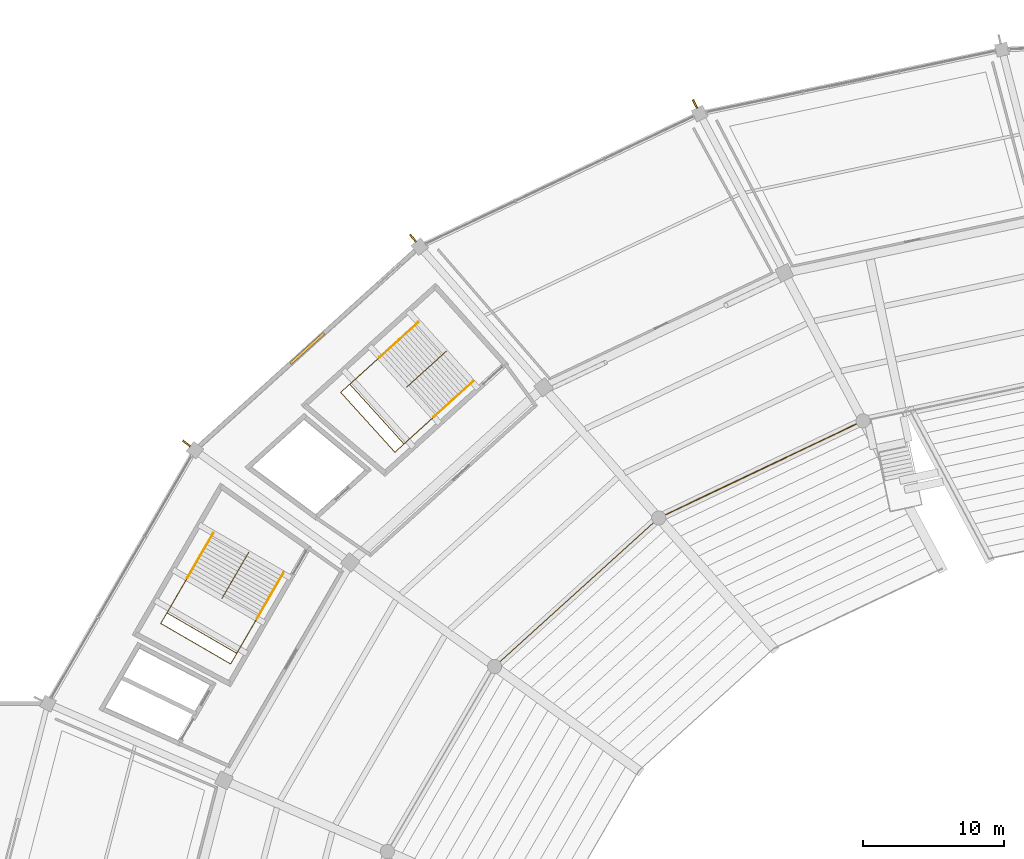
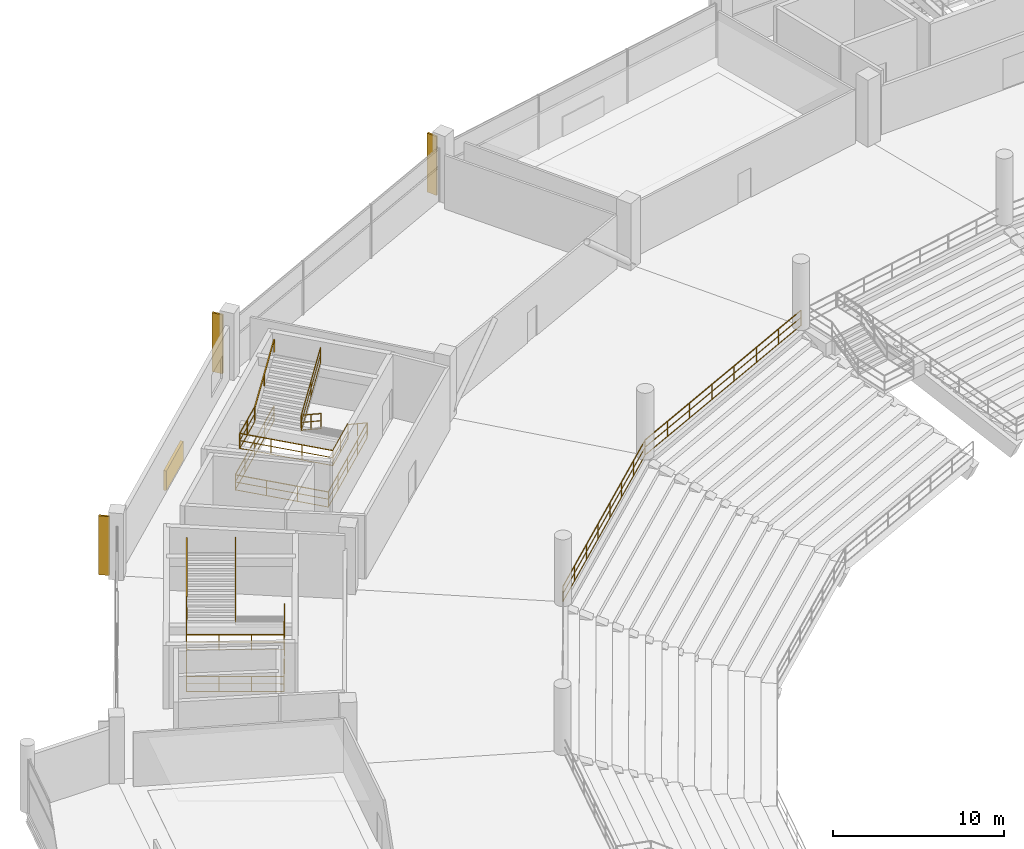
# One storey, part 152 of 156: 12 railings, 4 shading devices.
"""IFC4 building model written with IfcOpenShell, lengths in metres."""

from ifc_helpers import new_model, si_unit, direction, frame, origin, origin_2d, place, context, subcontext, project, spatial, rectangle, extrude, material, type_object, element, save


model = new_model("IFC4")

# Units and contexts
model_context = context("Model", 3, precision=1e-05, world=origin(), true_north=direction((0.0, 1.0)))
body_context = subcontext(model_context, "Body", "Model", "MODEL_VIEW")
ifc_project = project(units=[si_unit("LENGTHUNIT", "METRE"), si_unit("AREAUNIT", "SQUARE_METRE"), si_unit("VOLUMEUNIT", "CUBIC_METRE"), si_unit("PLANEANGLEUNIT", "RADIAN"), si_unit("MASSUNIT", "GRAM", prefix="KILO")], contexts=[model_context])

# Site, building, storey
site_placement = place(None, origin())
site = spatial("IfcSite", under=ifc_project, at=site_placement, CompositionType="ELEMENT")
building_placement = place(site_placement, origin())
building = spatial("IfcBuilding", under=site, at=building_placement, Name="Kazemori Nagisa Stadium", CompositionType="ELEMENT")
storey_placement = place(building_placement, frame((0.0, 0.0, 5.780029296875)))
storey = spatial("IfcBuildingStorey", under=building, at=storey_placement, Name="L01", CompositionType="ELEMENT", Elevation=5.780029296875)

# Shading devices
ifc_material_1 = material(Name="Aluminium 6063-T5 anodised", Category="aluminium")
shading_device_type_1 = type_object("IfcShadingDeviceType", Name="Fin_FN01", PredefinedType="USERDEFINED", material=ifc_material_1)
for number, where, z_axis, x_axis, name in (
    (1, (79.86767578125, 183.14453125, 0.0), (0.0, 0.0, 1.0), (-0.433883739113, 0.900968867905, 0.0), "Aerodynamic wave shading fin L01-10"),
    (2, (59.931396484375, 173.649169921875, 0.0), (0.0, 0.0, 1.0), (-0.623489801853, 0.781831482473, 0.0), "Aerodynamic wave shading fin L01-11"),
    (3, (43.914306640625, 159.138427734375, 0.0), (0.0, 0.0, 1.0), (-0.781831482473, 0.623489801853, 0.0), "Aerodynamic wave shading fin L01-12"),
):
    element("IfcShadingDevice", number, at=place(storey_placement, frame(where, z_axis=z_axis, x_axis=x_axis)), inside=storey, type_object=shading_device_type_1, Name=name, ObjectType="FIN", PredefinedType="USERDEFINED", context=body_context, shape_type="SweptSolid", body=[
        extrude(rectangle(XDim=0.64990234375, YDim=0.1201171875, at=origin_2d()), origin(), (0.0, 0.0, 1.0), 4.199951171875),
    ])
shading_device_type_2 = type_object("IfcShadingDeviceType", Name="Louvre_LV01", PredefinedType="JALOUSIE", material=ifc_material_1)
shading_device_placement = place(storey_placement, frame((52.453369140625, 165.86328125, -0.010009765625), z_axis=(0.0, 0.0, 1.0), x_axis=(-0.741350875443, -0.671117634607, 0.0)))
element("IfcShadingDevice", 4, at=shading_device_placement, inside=storey, type_object=shading_device_type_2, Name="Concourse ventilation louvre L01-B11", PredefinedType="JALOUSIE", context=body_context, shape_type="SweptSolid", body=[
    extrude(rectangle(XDim=3.199951171875, YDim=0.179931640625, at=origin_2d()), origin(), (0.0, 0.0, 1.0), 1.39990234375),
])

# Railings
ifc_material_2 = material(Name="Laminated safety glass and stainless steel SUS304", Category="steel")
railing_type_1 = type_object("IfcRailingType", Name="Rail_BAL", PredefinedType="BALUSTRADE", material=ifc_material_2)
railing_1_placement = place(storey_placement, frame((91.75244140625, 160.739013671875, 0.0)))
element("IfcRailing", 5, at=railing_1_placement, inside=storey, type_object=railing_type_1, Name="Concourse bowl balustrade L01-B10", PredefinedType="BALUSTRADE", context=body_context, shape_type="SweptSolid", body=[
    extrude(rectangle(XDim=0.050048828125, YDim=0.050048828125, at=origin_2d()), frame((0.0, 0.0, 1.09521484375), z_axis=(-0.903211989129, -0.429194714196, 0.0), x_axis=(0.429194714196, -0.903211989129, 0.0)), (0.0, 0.0, 1.0), 15.997314453125),
    extrude(rectangle(XDim=0.03759765625, YDim=0.03759765625, at=origin_2d()), frame((0.0, 0.0, 0.58251953125), z_axis=(-0.903211989129, -0.429194714196, 0.0), x_axis=(0.429194714196, -0.903211989129, 0.0)), (0.0, 0.0, 1.0), 15.997314453125),
    extrude(rectangle(XDim=0.03759765625, YDim=0.03759765625, at=origin_2d()), frame((0.0, 0.0, 0.02490234375), z_axis=(-0.903211989129, -0.429194714196, 0.0), x_axis=(0.429194714196, -0.903211989129, 0.0)), (0.0, 0.0, 1.0), 15.997314453125),
    extrude(rectangle(XDim=0.044921875, YDim=0.044921875, at=origin_2d()), origin(), (0.0, 0.0, 1.0), 1.070068359375),
    extrude(rectangle(XDim=0.044921875, YDim=0.044921875, at=origin_2d()), frame((-2.064208984375, -0.98095703125, 0.0)), (0.0, 0.0, 1.0), 1.070068359375),
    extrude(rectangle(XDim=0.044921875, YDim=0.044921875, at=origin_2d()), frame((-4.128173828125, -1.961669921875, 0.0)), (0.0, 0.0, 1.0), 1.070068359375),
    extrude(rectangle(XDim=0.044921875, YDim=0.044921875, at=origin_2d()), frame((-6.1923828125, -2.942626953125, 0.0)), (0.0, 0.0, 1.0), 1.070068359375),
    extrude(rectangle(XDim=0.044921875, YDim=0.044921875, at=origin_2d()), frame((-8.256591796875, -3.92333984375, 0.0)), (0.0, 0.0, 1.0), 1.070068359375),
    extrude(rectangle(XDim=0.044921875, YDim=0.044921875, at=origin_2d()), frame((-10.32080078125, -4.904296875, 0.0)), (0.0, 0.0, 1.0), 1.070068359375),
    extrude(rectangle(XDim=0.044921875, YDim=0.044921875, at=origin_2d()), frame((-12.384765625, -5.885009765625, 0.0)), (0.0, 0.0, 1.0), 1.070068359375),
    extrude(rectangle(XDim=0.044921875, YDim=0.044921875, at=origin_2d()), frame((-14.448974609375, -6.865966796875, 0.0)), (0.0, 0.0, 1.0), 1.070068359375),
])
railing_2_placement = place(storey_placement, frame((77.303466796875, 153.873046875, 0.0)))
element("IfcRailing", 6, at=railing_2_placement, inside=storey, type_object=railing_type_1, Name="Concourse bowl balustrade L01-B11", PredefinedType="BALUSTRADE", context=body_context, shape_type="SweptSolid", body=[
    extrude(rectangle(XDim=0.050048828125, YDim=0.050048828125, at=origin_2d()), frame((0.0, 0.0, 1.09521484375), z_axis=(-0.741349160152, -0.6711195294, 0.0), x_axis=(0.6711195294, -0.741349160152, 0.0)), (0.0, 0.0, 1.0), 15.65380859375),
    extrude(rectangle(XDim=0.03759765625, YDim=0.03759765625, at=origin_2d()), frame((0.0, 0.0, 0.58251953125), z_axis=(-0.741349160152, -0.6711195294, 0.0), x_axis=(0.6711195294, -0.741349160152, 0.0)), (0.0, 0.0, 1.0), 15.65380859375),
    extrude(rectangle(XDim=0.03759765625, YDim=0.03759765625, at=origin_2d()), frame((0.0, 0.0, 0.02490234375), z_axis=(-0.741349160152, -0.6711195294, 0.0), x_axis=(0.6711195294, -0.741349160152, 0.0)), (0.0, 0.0, 1.0), 15.65380859375),
    extrude(rectangle(XDim=0.044921875, YDim=0.044921875, at=origin_2d()), origin(), (0.0, 0.0, 1.0), 1.070068359375),
    extrude(rectangle(XDim=0.044921875, YDim=0.044921875, at=origin_2d()), frame((-1.657958984375, -1.500732421875, 0.0)), (0.0, 0.0, 1.0), 1.070068359375),
    extrude(rectangle(XDim=0.044921875, YDim=0.044921875, at=origin_2d()), frame((-3.315673828125, -3.001708984375, 0.0)), (0.0, 0.0, 1.0), 1.070068359375),
    extrude(rectangle(XDim=0.044921875, YDim=0.044921875, at=origin_2d()), frame((-4.9736328125, -4.50244140625, 0.0)), (0.0, 0.0, 1.0), 1.070068359375),
    extrude(rectangle(XDim=0.044921875, YDim=0.044921875, at=origin_2d()), frame((-6.63134765625, -6.003173828125, 0.0)), (0.0, 0.0, 1.0), 1.070068359375),
    extrude(rectangle(XDim=0.044921875, YDim=0.044921875, at=origin_2d()), frame((-8.289306640625, -7.50390625, 0.0)), (0.0, 0.0, 1.0), 1.070068359375),
    extrude(rectangle(XDim=0.044921875, YDim=0.044921875, at=origin_2d()), frame((-9.947021484375, -9.0048828125, 0.0)), (0.0, 0.0, 1.0), 1.070068359375),
    extrude(rectangle(XDim=0.044921875, YDim=0.044921875, at=origin_2d()), frame((-11.60498046875, -10.505615234375, 0.0)), (0.0, 0.0, 1.0), 1.070068359375),
])
ifc_material_3 = material(Name="Galvanised powder-coated steel", Category="steel")
railing_type_2 = type_object("IfcRailingType", Name="Rail_GUARD", PredefinedType="GUARDRAIL", material=ifc_material_3)
railing_3_placement = place(storey_placement, frame((64.12109375, 163.4794921875, 0.0)))
element("IfcRailing", 7, at=railing_3_placement, inside=storey, type_object=railing_type_2, Name="Stair well perimeter guard ST02-L01", PredefinedType="GUARDRAIL", context=body_context, shape_type="SweptSolid", body=[
    extrude(rectangle(XDim=0.050048828125, YDim=0.050048828125, at=origin_2d()), frame((0.0, 0.0, 1.09521484375), z_axis=(-0.741350009176, -0.671118591528, 0.0), x_axis=(0.671118591528, -0.741350009176, 0.0)), (0.0, 0.0, 1.0), 7.380126953125),
    extrude(rectangle(XDim=0.03759765625, YDim=0.03759765625, at=origin_2d()), frame((0.0, 0.0, 0.58251953125), z_axis=(-0.741350009176, -0.671118591528, 0.0), x_axis=(0.671118591528, -0.741350009176, 0.0)), (0.0, 0.0, 1.0), 7.380126953125),
    extrude(rectangle(XDim=0.03759765625, YDim=0.03759765625, at=origin_2d()), frame((0.0, 0.0, 0.02490234375), z_axis=(-0.741350009176, -0.671118591528, 0.0), x_axis=(0.671118591528, -0.741350009176, 0.0)), (0.0, 0.0, 1.0), 7.380126953125),
    extrude(rectangle(XDim=0.050048828125, YDim=0.050048828125, at=origin_2d()), frame((-5.47119140625, -4.952880859375, 1.09521484375), z_axis=(-0.671110696127, 0.741357156534, 0.0), x_axis=(-0.741357156534, -0.671110696127, 0.0)), (0.0, 0.0, 1.0), 5.69970703125),
    extrude(rectangle(XDim=0.03759765625, YDim=0.03759765625, at=origin_2d()), frame((-5.47119140625, -4.952880859375, 0.58251953125), z_axis=(-0.671110696127, 0.741357156534, 0.0), x_axis=(-0.741357156534, -0.671110696127, 0.0)), (0.0, 0.0, 1.0), 5.69970703125),
    extrude(rectangle(XDim=0.03759765625, YDim=0.03759765625, at=origin_2d()), frame((-5.47119140625, -4.952880859375, 0.02490234375), z_axis=(-0.671110696127, 0.741357156534, 0.0), x_axis=(-0.741357156534, -0.671110696127, 0.0)), (0.0, 0.0, 1.0), 5.69970703125),
    extrude(rectangle(XDim=0.050048828125, YDim=0.050048828125, at=origin_2d()), frame((-9.29638671875, -0.727294921875, 1.09521484375), z_axis=(0.741350009176, 0.671118591528, 0.0), x_axis=(-0.671118591528, 0.741350009176, 0.0)), (0.0, 0.0, 1.0), 7.380126953125),
    extrude(rectangle(XDim=0.03759765625, YDim=0.03759765625, at=origin_2d()), frame((-9.29638671875, -0.727294921875, 0.58251953125), z_axis=(0.741350009176, 0.671118591528, 0.0), x_axis=(-0.671118591528, 0.741350009176, 0.0)), (0.0, 0.0, 1.0), 7.380126953125),
    extrude(rectangle(XDim=0.03759765625, YDim=0.03759765625, at=origin_2d()), frame((-9.29638671875, -0.727294921875, 0.02490234375), z_axis=(0.741350009176, 0.671118591528, 0.0), x_axis=(-0.671118591528, 0.741350009176, 0.0)), (0.0, 0.0, 1.0), 7.380126953125),
    extrude(rectangle(XDim=0.044921875, YDim=0.044921875, at=origin_2d()), origin(), (0.0, 0.0, 1.0), 1.070068359375),
    extrude(rectangle(XDim=0.044921875, YDim=0.044921875, at=origin_2d()), frame((-1.36767578125, -1.23828125, 0.0)), (0.0, 0.0, 1.0), 1.070068359375),
    extrude(rectangle(XDim=0.044921875, YDim=0.044921875, at=origin_2d()), frame((-2.735595703125, -2.4765625, 0.0)), (0.0, 0.0, 1.0), 1.070068359375),
    extrude(rectangle(XDim=0.044921875, YDim=0.044921875, at=origin_2d()), frame((-4.103515625, -3.714599609375, 0.0)), (0.0, 0.0, 1.0), 1.070068359375),
    extrude(rectangle(XDim=0.044921875, YDim=0.044921875, at=origin_2d()), frame((-5.47119140625, -4.952880859375, 0.0)), (0.0, 0.0, 1.0), 1.070068359375),
    extrude(rectangle(XDim=0.044921875, YDim=0.044921875, at=origin_2d()), frame((-6.746337890625, -3.54443359375, 0.0)), (0.0, 0.0, 1.0), 1.070068359375),
    extrude(rectangle(XDim=0.044921875, YDim=0.044921875, at=origin_2d()), frame((-8.021240234375, -2.1357421875, 0.0)), (0.0, 0.0, 1.0), 1.070068359375),
    extrude(rectangle(XDim=0.044921875, YDim=0.044921875, at=origin_2d()), frame((-9.29638671875, -0.727294921875, 0.0)), (0.0, 0.0, 1.0), 1.070068359375),
    extrude(rectangle(XDim=0.044921875, YDim=0.044921875, at=origin_2d()), frame((-7.9287109375, 0.510986328125, 0.0)), (0.0, 0.0, 1.0), 1.070068359375),
    extrude(rectangle(XDim=0.044921875, YDim=0.044921875, at=origin_2d()), frame((-6.560791015625, 1.7490234375, 0.0)), (0.0, 0.0, 1.0), 1.070068359375),
    extrude(rectangle(XDim=0.044921875, YDim=0.044921875, at=origin_2d()), frame((-5.19287109375, 2.9873046875, 0.0)), (0.0, 0.0, 1.0), 1.070068359375),
    extrude(rectangle(XDim=0.044921875, YDim=0.044921875, at=origin_2d()), frame((-3.8251953125, 4.2255859375, 0.0)), (0.0, 0.0, 1.0), 1.070068359375),
])
railing_4_placement = place(storey_placement, frame((62.267822265625, 165.64599609375, 0.0)))
element("IfcRailing", 8, at=railing_4_placement, inside=storey, type_object=railing_type_2, Name="Stair central guard ST02-L01", PredefinedType="GUARDRAIL", context=body_context, shape_type="SweptSolid", body=[
    extrude(rectangle(XDim=0.050048828125, YDim=0.050048828125, at=origin_2d()), frame((0.0, 0.0, 1.09521484375), z_axis=(-0.626169043994, -0.566858171558, 0.535335541208), x_axis=(0.671124405314, -0.741344746114, 0.0)), (0.0, 0.0, 1.0), 4.445556640625),
    extrude(rectangle(XDim=0.03759765625, YDim=0.03759765625, at=origin_2d()), frame((0.0, 0.0, 0.58251953125), z_axis=(-0.626169043994, -0.566858171558, 0.535335541208), x_axis=(0.671124405314, -0.741344746114, 0.0)), (0.0, 0.0, 1.0), 4.445556640625),
    extrude(rectangle(XDim=0.03759765625, YDim=0.03759765625, at=origin_2d()), frame((0.0, 0.0, 0.02490234375), z_axis=(-0.626169043994, -0.566858171558, 0.535335541208), x_axis=(0.671124405314, -0.741344746114, 0.0)), (0.0, 0.0, 1.0), 4.445556640625),
    extrude(rectangle(XDim=0.050048828125, YDim=0.050048828125, at=origin_2d()), frame((-2.78369140625, -2.52001953125, 3.47509765625), z_axis=(0.622237228322, 0.5632978296, 0.543614189346), x_axis=(-0.671123784078, 0.741345308506, 0.0)), (0.0, 0.0, 1.0), 4.37841796875),
    extrude(rectangle(XDim=0.03759765625, YDim=0.03759765625, at=origin_2d()), frame((-2.78369140625, -2.52001953125, 2.96240234375), z_axis=(0.622237228322, 0.5632978296, 0.543614189346), x_axis=(-0.671123784078, 0.741345308506, 0.0)), (0.0, 0.0, 1.0), 4.37841796875),
    extrude(rectangle(XDim=0.03759765625, YDim=0.03759765625, at=origin_2d()), frame((-2.78369140625, -2.52001953125, 2.40478515625), z_axis=(0.622237228322, 0.5632978296, 0.543614189346), x_axis=(-0.671123784078, 0.741345308506, 0.0)), (0.0, 0.0, 1.0), 4.37841796875),
    extrude(rectangle(XDim=0.044921875, YDim=0.044921875, at=origin_2d()), origin(), (0.0, 0.0, 1.0), 1.070068359375),
    extrude(rectangle(XDim=0.044921875, YDim=0.044921875, at=origin_2d()), frame((-1.391845703125, -1.260009765625, 1.18994140625)), (0.0, 0.0, 1.0), 1.070068359375),
    extrude(rectangle(XDim=0.044921875, YDim=0.044921875, at=origin_2d()), frame((-2.78369140625, -2.52001953125, 2.3798828125)), (0.0, 0.0, 1.0), 1.070068359375),
    extrude(rectangle(XDim=0.044921875, YDim=0.044921875, at=origin_2d()), frame((-1.42138671875, -1.286865234375, 3.56982421875)), (0.0, 0.0, 1.0), 1.070068359375),
    extrude(rectangle(XDim=0.044921875, YDim=0.044921875, at=origin_2d()), frame((-0.059326171875, -0.0537109375, 4.760009765625)), (0.0, 0.0, 1.0), 1.070068359375),
])
railing_5_placement = place(storey_placement, frame((61.396728515625, 161.01318359375, 2.3798828125)))
element("IfcRailing", 9, at=railing_5_placement, inside=storey, type_object=railing_type_2, Name="Stair landing guard ST02-L01", PredefinedType="GUARDRAIL", context=body_context, shape_type="SweptSolid", body=[
    extrude(rectangle(XDim=0.050048828125, YDim=0.050048828125, at=origin_2d()), frame((0.0, 0.0, 1.09521484375), z_axis=(-0.741314535645, -0.671157775223, 0.0), x_axis=(0.671157775223, -0.741314535645, 0.0)), (0.0, 0.0, 1.0), 2.85009765625),
    extrude(rectangle(XDim=0.03759765625, YDim=0.03759765625, at=origin_2d()), frame((0.0, 0.0, 0.58251953125), z_axis=(-0.741314535645, -0.671157775223, 0.0), x_axis=(0.671157775223, -0.741314535645, 0.0)), (0.0, 0.0, 1.0), 2.85009765625),
    extrude(rectangle(XDim=0.03759765625, YDim=0.03759765625, at=origin_2d()), frame((0.0, 0.0, 0.02490234375), z_axis=(-0.741314535645, -0.671157775223, 0.0), x_axis=(0.671157775223, -0.741314535645, 0.0)), (0.0, 0.0, 1.0), 2.85009765625),
    extrude(rectangle(XDim=0.050048828125, YDim=0.050048828125, at=origin_2d()), frame((-2.11279296875, -1.912841796875, 1.09521484375), z_axis=(-0.671112926645, 0.74135513736, 0.0), x_axis=(-0.74135513736, -0.671112926645, 0.0)), (0.0, 0.0, 1.0), 5.7001953125),
    extrude(rectangle(XDim=0.03759765625, YDim=0.03759765625, at=origin_2d()), frame((-2.11279296875, -1.912841796875, 0.58251953125), z_axis=(-0.671112926645, 0.74135513736, 0.0), x_axis=(-0.74135513736, -0.671112926645, 0.0)), (0.0, 0.0, 1.0), 5.7001953125),
    extrude(rectangle(XDim=0.03759765625, YDim=0.03759765625, at=origin_2d()), frame((-2.11279296875, -1.912841796875, 0.02490234375), z_axis=(-0.671112926645, 0.74135513736, 0.0), x_axis=(-0.74135513736, -0.671112926645, 0.0)), (0.0, 0.0, 1.0), 5.7001953125),
    extrude(rectangle(XDim=0.050048828125, YDim=0.050048828125, at=origin_2d()), frame((-5.938232421875, 2.31298828125, 1.09521484375), z_axis=(0.741357156534, 0.671110696127, 0.0), x_axis=(-0.671110696127, 0.741357156534, 0.0)), (0.0, 0.0, 1.0), 2.849853515625),
    extrude(rectangle(XDim=0.03759765625, YDim=0.03759765625, at=origin_2d()), frame((-5.938232421875, 2.31298828125, 0.58251953125), z_axis=(0.741357156534, 0.671110696127, 0.0), x_axis=(-0.671110696127, 0.741357156534, 0.0)), (0.0, 0.0, 1.0), 2.849853515625),
    extrude(rectangle(XDim=0.03759765625, YDim=0.03759765625, at=origin_2d()), frame((-5.938232421875, 2.31298828125, 0.02490234375), z_axis=(0.741357156534, 0.671110696127, 0.0), x_axis=(-0.671110696127, 0.741357156534, 0.0)), (0.0, 0.0, 1.0), 2.849853515625),
    extrude(rectangle(XDim=0.044921875, YDim=0.044921875, at=origin_2d()), origin(), (0.0, 0.0, 1.0), 1.070068359375),
    extrude(rectangle(XDim=0.044921875, YDim=0.044921875, at=origin_2d()), frame((-1.056396484375, -0.95654296875, 0.0)), (0.0, 0.0, 1.0), 1.070068359375),
    extrude(rectangle(XDim=0.044921875, YDim=0.044921875, at=origin_2d()), frame((-2.11279296875, -1.912841796875, 0.0)), (0.0, 0.0, 1.0), 1.070068359375),
    extrude(rectangle(XDim=0.044921875, YDim=0.044921875, at=origin_2d()), frame((-3.387939453125, -0.504150390625, 0.0)), (0.0, 0.0, 1.0), 1.070068359375),
    extrude(rectangle(XDim=0.044921875, YDim=0.044921875, at=origin_2d()), frame((-4.6630859375, 0.904296875, 0.0)), (0.0, 0.0, 1.0), 1.070068359375),
    extrude(rectangle(XDim=0.044921875, YDim=0.044921875, at=origin_2d()), frame((-5.938232421875, 2.31298828125, 0.0)), (0.0, 0.0, 1.0), 1.070068359375),
    extrude(rectangle(XDim=0.044921875, YDim=0.044921875, at=origin_2d()), frame((-4.8818359375, 3.269287109375, 0.0)), (0.0, 0.0, 1.0), 1.070068359375),
    extrude(rectangle(XDim=0.044921875, YDim=0.044921875, at=origin_2d()), frame((-3.825439453125, 4.2255859375, 0.0)), (0.0, 0.0, 1.0), 1.070068359375),
])
railing_6_placement = place(storey_placement, frame((50.736083984375, 149.940673828125, 0.0)))
element("IfcRailing", 10, at=railing_6_placement, inside=storey, type_object=railing_type_2, Name="Stair well perimeter guard ST08-L01", PredefinedType="GUARDRAIL", context=body_context, shape_type="SweptSolid", body=[
    extrude(rectangle(XDim=0.050048828125, YDim=0.050048828125, at=origin_2d()), frame((0.0, 0.0, 1.09521484375), z_axis=(-0.501604713547, -0.865096937544, 0.0), x_axis=(0.865096937544, -0.501604713547, 0.0)), (0.0, 0.0, 1.0), 7.380126953125),
    extrude(rectangle(XDim=0.03759765625, YDim=0.03759765625, at=origin_2d()), frame((0.0, 0.0, 0.58251953125), z_axis=(-0.501604713547, -0.865096937544, 0.0), x_axis=(0.865096937544, -0.501604713547, 0.0)), (0.0, 0.0, 1.0), 7.380126953125),
    extrude(rectangle(XDim=0.03759765625, YDim=0.03759765625, at=origin_2d()), frame((0.0, 0.0, 0.02490234375), z_axis=(-0.501604713547, -0.865096937544, 0.0), x_axis=(0.865096937544, -0.501604713547, 0.0)), (0.0, 0.0, 1.0), 7.380126953125),
    extrude(rectangle(XDim=0.050048828125, YDim=0.050048828125, at=origin_2d()), frame((-3.701904296875, -6.384521484375, 1.09521484375), z_axis=(-0.865091784601, 0.501613600508, 0.0), x_axis=(-0.501613600508, -0.865091784601, 0.0)), (0.0, 0.0, 1.0), 5.699951171875),
    extrude(rectangle(XDim=0.03759765625, YDim=0.03759765625, at=origin_2d()), frame((-3.701904296875, -6.384521484375, 0.58251953125), z_axis=(-0.865091784601, 0.501613600508, 0.0), x_axis=(-0.501613600508, -0.865091784601, 0.0)), (0.0, 0.0, 1.0), 5.699951171875),
    extrude(rectangle(XDim=0.03759765625, YDim=0.03759765625, at=origin_2d()), frame((-3.701904296875, -6.384521484375, 0.02490234375), z_axis=(-0.865091784601, 0.501613600508, 0.0), x_axis=(-0.501613600508, -0.865091784601, 0.0)), (0.0, 0.0, 1.0), 5.699951171875),
    extrude(rectangle(XDim=0.050048828125, YDim=0.050048828125, at=origin_2d()), frame((-8.6328125, -3.525390625, 1.09521484375), z_axis=(0.501604713547, 0.865096937544, 0.0), x_axis=(-0.865096937544, 0.501604713547, 0.0)), (0.0, 0.0, 1.0), 7.380126953125),
    extrude(rectangle(XDim=0.03759765625, YDim=0.03759765625, at=origin_2d()), frame((-8.6328125, -3.525390625, 0.58251953125), z_axis=(0.501604713547, 0.865096937544, 0.0), x_axis=(-0.865096937544, 0.501604713547, 0.0)), (0.0, 0.0, 1.0), 7.380126953125),
    extrude(rectangle(XDim=0.03759765625, YDim=0.03759765625, at=origin_2d()), frame((-8.6328125, -3.525390625, 0.02490234375), z_axis=(0.501604713547, 0.865096937544, 0.0), x_axis=(-0.865096937544, 0.501604713547, 0.0)), (0.0, 0.0, 1.0), 7.380126953125),
    extrude(rectangle(XDim=0.044921875, YDim=0.044921875, at=origin_2d()), origin(), (0.0, 0.0, 1.0), 1.070068359375),
    extrude(rectangle(XDim=0.044921875, YDim=0.044921875, at=origin_2d()), frame((-0.925537109375, -1.59619140625, 0.0)), (0.0, 0.0, 1.0), 1.070068359375),
    extrude(rectangle(XDim=0.044921875, YDim=0.044921875, at=origin_2d()), frame((-1.85107421875, -3.1923828125, 0.0)), (0.0, 0.0, 1.0), 1.070068359375),
    extrude(rectangle(XDim=0.044921875, YDim=0.044921875, at=origin_2d()), frame((-2.7763671875, -4.788330078125, 0.0)), (0.0, 0.0, 1.0), 1.070068359375),
    extrude(rectangle(XDim=0.044921875, YDim=0.044921875, at=origin_2d()), frame((-3.701904296875, -6.384521484375, 0.0)), (0.0, 0.0, 1.0), 1.070068359375),
    extrude(rectangle(XDim=0.044921875, YDim=0.044921875, at=origin_2d()), frame((-5.345458984375, -5.431396484375, 0.0)), (0.0, 0.0, 1.0), 1.070068359375),
    extrude(rectangle(XDim=0.044921875, YDim=0.044921875, at=origin_2d()), frame((-6.9892578125, -4.478515625, 0.0)), (0.0, 0.0, 1.0), 1.070068359375),
    extrude(rectangle(XDim=0.044921875, YDim=0.044921875, at=origin_2d()), frame((-8.6328125, -3.525390625, 0.0)), (0.0, 0.0, 1.0), 1.070068359375),
    extrude(rectangle(XDim=0.044921875, YDim=0.044921875, at=origin_2d()), frame((-7.707275390625, -1.92919921875, 0.0)), (0.0, 0.0, 1.0), 1.070068359375),
    extrude(rectangle(XDim=0.044921875, YDim=0.044921875, at=origin_2d()), frame((-6.78173828125, -0.3330078125, 0.0)), (0.0, 0.0, 1.0), 1.070068359375),
    extrude(rectangle(XDim=0.044921875, YDim=0.044921875, at=origin_2d()), frame((-5.8564453125, 1.262939453125, 0.0)), (0.0, 0.0, 1.0), 1.070068359375),
    extrude(rectangle(XDim=0.044921875, YDim=0.044921875, at=origin_2d()), frame((-4.930908203125, 2.859130859375, 0.0)), (0.0, 0.0, 1.0), 1.070068359375),
])
railing_7_placement = place(storey_placement, frame((48.310791015625, 151.439453125, 0.0)))
element("IfcRailing", 11, at=railing_7_placement, inside=storey, type_object=railing_type_2, Name="Stair central guard ST08-L01", PredefinedType="GUARDRAIL", context=body_context, shape_type="SweptSolid", body=[
    extrude(rectangle(XDim=0.050048828125, YDim=0.050048828125, at=origin_2d()), frame((0.0, 0.0, 1.09521484375), z_axis=(-0.423674533128, -0.730708144887, 0.535318126887), x_axis=(0.865101159018, -0.501597432874, 0.0)), (0.0, 0.0, 1.0), 4.44580078125),
    extrude(rectangle(XDim=0.03759765625, YDim=0.03759765625, at=origin_2d()), frame((0.0, 0.0, 0.58251953125), z_axis=(-0.423674533128, -0.730708144887, 0.535318126887), x_axis=(0.865101159018, -0.501597432874, 0.0)), (0.0, 0.0, 1.0), 4.44580078125),
    extrude(rectangle(XDim=0.03759765625, YDim=0.03759765625, at=origin_2d()), frame((0.0, 0.0, 0.02490234375), z_axis=(-0.423674533128, -0.730708144887, 0.535318126887), x_axis=(0.865101159018, -0.501597432874, 0.0)), (0.0, 0.0, 1.0), 4.44580078125),
    extrude(rectangle(XDim=0.050048828125, YDim=0.050048828125, at=origin_2d()), frame((-1.883544921875, -3.24853515625, 3.47509765625), z_axis=(0.420994854964, 0.726118543223, 0.543613091529), x_axis=(-0.865110756676, 0.501580879504, 0.0)), (0.0, 0.0, 1.0), 4.37841796875),
    extrude(rectangle(XDim=0.03759765625, YDim=0.03759765625, at=origin_2d()), frame((-1.883544921875, -3.24853515625, 2.96240234375), z_axis=(0.420994854964, 0.726118543223, 0.543613091529), x_axis=(-0.865110756676, 0.501580879504, 0.0)), (0.0, 0.0, 1.0), 4.37841796875),
    extrude(rectangle(XDim=0.03759765625, YDim=0.03759765625, at=origin_2d()), frame((-1.883544921875, -3.24853515625, 2.40478515625), z_axis=(0.420994854964, 0.726118543223, 0.543613091529), x_axis=(-0.865110756676, 0.501580879504, 0.0)), (0.0, 0.0, 1.0), 4.37841796875),
    extrude(rectangle(XDim=0.044921875, YDim=0.044921875, at=origin_2d()), origin(), (0.0, 0.0, 1.0), 1.070068359375),
    extrude(rectangle(XDim=0.044921875, YDim=0.044921875, at=origin_2d()), frame((-0.94189453125, -1.624267578125, 1.18994140625)), (0.0, 0.0, 1.0), 1.070068359375),
    extrude(rectangle(XDim=0.044921875, YDim=0.044921875, at=origin_2d()), frame((-1.883544921875, -3.24853515625, 2.3798828125)), (0.0, 0.0, 1.0), 1.070068359375),
    extrude(rectangle(XDim=0.044921875, YDim=0.044921875, at=origin_2d()), frame((-0.9619140625, -1.658935546875, 3.56982421875)), (0.0, 0.0, 1.0), 1.070068359375),
    extrude(rectangle(XDim=0.044921875, YDim=0.044921875, at=origin_2d()), frame((-0.040283203125, -0.0693359375, 4.760009765625)), (0.0, 0.0, 1.0), 1.070068359375),
])
railing_8_placement = place(storey_placement, frame((48.892578125, 146.761474609375, 2.3798828125)))
element("IfcRailing", 12, at=railing_8_placement, inside=storey, type_object=railing_type_2, Name="Stair landing guard ST08-L01", PredefinedType="GUARDRAIL", context=body_context, shape_type="SweptSolid", body=[
    extrude(rectangle(XDim=0.050048828125, YDim=0.050048828125, at=origin_2d()), frame((0.0, 0.0, 1.09521484375), z_axis=(-0.501562958255, -0.865121146954, 0.0), x_axis=(0.865121146954, -0.501562958255, 0.0)), (0.0, 0.0, 1.0), 2.85009765625),
    extrude(rectangle(XDim=0.03759765625, YDim=0.03759765625, at=origin_2d()), frame((0.0, 0.0, 0.58251953125), z_axis=(-0.501562958255, -0.865121146954, 0.0), x_axis=(0.865121146954, -0.501562958255, 0.0)), (0.0, 0.0, 1.0), 2.85009765625),
    extrude(rectangle(XDim=0.03759765625, YDim=0.03759765625, at=origin_2d()), frame((0.0, 0.0, 0.02490234375), z_axis=(-0.501562958255, -0.865121146954, 0.0), x_axis=(0.865121146954, -0.501562958255, 0.0)), (0.0, 0.0, 1.0), 2.85009765625),
    extrude(rectangle(XDim=0.050048828125, YDim=0.050048828125, at=origin_2d()), frame((-1.429443359375, -2.465576171875, 1.09521484375), z_axis=(-0.865102561401, 0.501595014188, 0.0), x_axis=(-0.501595014188, -0.865102561401, 0.0)), (0.0, 0.0, 1.0), 5.7001953125),
    extrude(rectangle(XDim=0.03759765625, YDim=0.03759765625, at=origin_2d()), frame((-1.429443359375, -2.465576171875, 0.58251953125), z_axis=(-0.865102561401, 0.501595014188, 0.0), x_axis=(-0.501595014188, -0.865102561401, 0.0)), (0.0, 0.0, 1.0), 5.7001953125),
    extrude(rectangle(XDim=0.03759765625, YDim=0.03759765625, at=origin_2d()), frame((-1.429443359375, -2.465576171875, 0.02490234375), z_axis=(-0.865102561401, 0.501595014188, 0.0), x_axis=(-0.501595014188, -0.865102561401, 0.0)), (0.0, 0.0, 1.0), 5.7001953125),
    extrude(rectangle(XDim=0.050048828125, YDim=0.050048828125, at=origin_2d()), frame((-6.360595703125, 0.3935546875, 1.09521484375), z_axis=(0.501627068055, 0.865083975458, 0.0), x_axis=(-0.865083975458, 0.501627068055, 0.0)), (0.0, 0.0, 1.0), 2.85009765625),
    extrude(rectangle(XDim=0.03759765625, YDim=0.03759765625, at=origin_2d()), frame((-6.360595703125, 0.3935546875, 0.58251953125), z_axis=(0.501627068055, 0.865083975458, 0.0), x_axis=(-0.865083975458, 0.501627068055, 0.0)), (0.0, 0.0, 1.0), 2.85009765625),
    extrude(rectangle(XDim=0.03759765625, YDim=0.03759765625, at=origin_2d()), frame((-6.360595703125, 0.3935546875, 0.02490234375), z_axis=(0.501627068055, 0.865083975458, 0.0), x_axis=(-0.865083975458, 0.501627068055, 0.0)), (0.0, 0.0, 1.0), 2.85009765625),
    extrude(rectangle(XDim=0.044921875, YDim=0.044921875, at=origin_2d()), origin(), (0.0, 0.0, 1.0), 1.070068359375),
    extrude(rectangle(XDim=0.044921875, YDim=0.044921875, at=origin_2d()), frame((-0.71484375, -1.23291015625, 0.0)), (0.0, 0.0, 1.0), 1.070068359375),
    extrude(rectangle(XDim=0.044921875, YDim=0.044921875, at=origin_2d()), frame((-1.429443359375, -2.465576171875, 0.0)), (0.0, 0.0, 1.0), 1.070068359375),
    extrude(rectangle(XDim=0.044921875, YDim=0.044921875, at=origin_2d()), frame((-3.0732421875, -1.512451171875, 0.0)), (0.0, 0.0, 1.0), 1.070068359375),
    extrude(rectangle(XDim=0.044921875, YDim=0.044921875, at=origin_2d()), frame((-4.716796875, -0.5595703125, 0.0)), (0.0, 0.0, 1.0), 1.070068359375),
    extrude(rectangle(XDim=0.044921875, YDim=0.044921875, at=origin_2d()), frame((-6.360595703125, 0.3935546875, 0.0)), (0.0, 0.0, 1.0), 1.070068359375),
    extrude(rectangle(XDim=0.044921875, YDim=0.044921875, at=origin_2d()), frame((-5.645751953125, 1.62646484375, 0.0)), (0.0, 0.0, 1.0), 1.070068359375),
    extrude(rectangle(XDim=0.044921875, YDim=0.044921875, at=origin_2d()), frame((-4.930908203125, 2.859130859375, 0.0)), (0.0, 0.0, 1.0), 1.070068359375),
])
ifc_material_4 = material(Name="Stainless steel SUS304", Category="steel")
railing_type_3 = type_object("IfcRailingType", Name="Rail_HAND", PredefinedType="HANDRAIL", material=ifc_material_4)
railing_9_placement = place(storey_placement, frame((64.180419921875, 163.533203125, 0.169921875)))
element("IfcRailing", 13, at=railing_9_placement, inside=storey, type_object=railing_type_3, Name="Stair handrail ST02-L01-F1", PredefinedType="HANDRAIL", context=body_context, shape_type="SweptSolid", body=[
    extrude(rectangle(XDim=0.050048828125, YDim=0.050048828125, at=origin_2d()), frame((0.0, 0.0, 0.875), z_axis=(-0.626150634945, -0.566841506219, 0.535374718478), x_axis=(0.671124405314, -0.741344746114, 0.0)), (0.0, 0.0, 1.0), 4.44580078125),
    extrude(rectangle(XDim=0.044921875, YDim=0.044921875, at=origin_2d()), origin(), (0.0, 0.0, 1.0), 0.849853515625),
    extrude(rectangle(XDim=0.044921875, YDim=0.044921875, at=origin_2d()), frame((-1.391845703125, -1.260009765625, 1.18994140625)), (0.0, 0.0, 1.0), 0.849853515625),
    extrude(rectangle(XDim=0.044921875, YDim=0.044921875, at=origin_2d()), frame((-2.78369140625, -2.52001953125, 2.380126953125)), (0.0, 0.0, 1.0), 0.849853515625),
])
railing_10_placement = place(storey_placement, frame((57.5712890625, 165.23876953125, 2.550048828125)))
element("IfcRailing", 14, at=railing_10_placement, inside=storey, type_object=railing_type_3, Name="Stair handrail ST02-L01-F2", PredefinedType="HANDRAIL", context=body_context, shape_type="SweptSolid", body=[
    extrude(rectangle(XDim=0.050048828125, YDim=0.050048828125, at=origin_2d()), frame((0.0, 0.0, 0.875), z_axis=(0.62229025923, 0.56329535831, 0.543556043636), x_axis=(-0.671090731464, 0.741375228978, 0.0)), (0.0, 0.0, 1.0), 4.37841796875),
    extrude(rectangle(XDim=0.044921875, YDim=0.044921875, at=origin_2d()), origin(), (0.0, 0.0, 1.0), 0.849853515625),
    extrude(rectangle(XDim=0.044921875, YDim=0.044921875, at=origin_2d()), frame((1.3623046875, 1.233154296875, 1.18994140625)), (0.0, 0.0, 1.0), 0.849853515625),
    extrude(rectangle(XDim=0.044921875, YDim=0.044921875, at=origin_2d()), frame((2.724609375, 2.46630859375, 2.3798828125)), (0.0, 0.0, 1.0), 0.849853515625),
])
railing_11_placement = place(storey_placement, frame((50.776123046875, 150.009765625, 0.169921875)))
element("IfcRailing", 15, at=railing_11_placement, inside=storey, type_object=railing_type_3, Name="Stair handrail ST08-L01-F1", PredefinedType="HANDRAIL", context=body_context, shape_type="SweptSolid", body=[
    extrude(rectangle(XDim=0.050048828125, YDim=0.050048828125, at=origin_2d()), frame((0.0, 0.0, 0.875), z_axis=(-0.423679077942, -0.730661067014, 0.535378785594), x_axis=(0.865084799646, -0.501625646694, 0.0)), (0.0, 0.0, 1.0), 4.44580078125),
    extrude(rectangle(XDim=0.044921875, YDim=0.044921875, at=origin_2d()), origin(), (0.0, 0.0, 1.0), 0.849853515625),
    extrude(rectangle(XDim=0.044921875, YDim=0.044921875, at=origin_2d()), frame((-0.94189453125, -1.6240234375, 1.18994140625)), (0.0, 0.0, 1.0), 0.849853515625),
    extrude(rectangle(XDim=0.044921875, YDim=0.044921875, at=origin_2d()), frame((-1.883544921875, -3.248291015625, 2.380126953125)), (0.0, 0.0, 1.0), 0.849853515625),
])
railing_12_placement = place(storey_placement, frame((43.961669921875, 149.62060546875, 2.550048828125)))
element("IfcRailing", 16, at=railing_12_placement, inside=storey, type_object=railing_type_3, Name="Stair handrail ST08-L01-F2", PredefinedType="HANDRAIL", context=body_context, shape_type="SweptSolid", body=[
    extrude(rectangle(XDim=0.050048828125, YDim=0.050048828125, at=origin_2d()), frame((0.0, 0.0, 0.875), z_axis=(0.421053493443, 0.72612350571, 0.543561045435), x_axis=(-0.865081928726, 0.501630597743, 0.0)), (0.0, 0.0, 1.0), 4.37841796875),
    extrude(rectangle(XDim=0.044921875, YDim=0.044921875, at=origin_2d()), origin(), (0.0, 0.0, 1.0), 0.849853515625),
    extrude(rectangle(XDim=0.044921875, YDim=0.044921875, at=origin_2d()), frame((0.921875, 1.589599609375, 1.18994140625)), (0.0, 0.0, 1.0), 0.849853515625),
    extrude(rectangle(XDim=0.044921875, YDim=0.044921875, at=origin_2d()), frame((1.843505859375, 3.17919921875, 2.3798828125)), (0.0, 0.0, 1.0), 0.849853515625),
])

save(model, "model.ifc")
